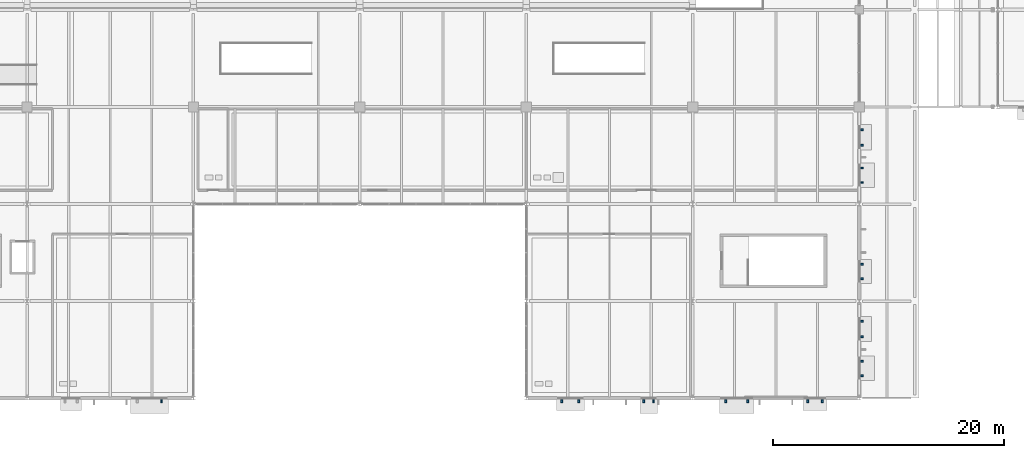
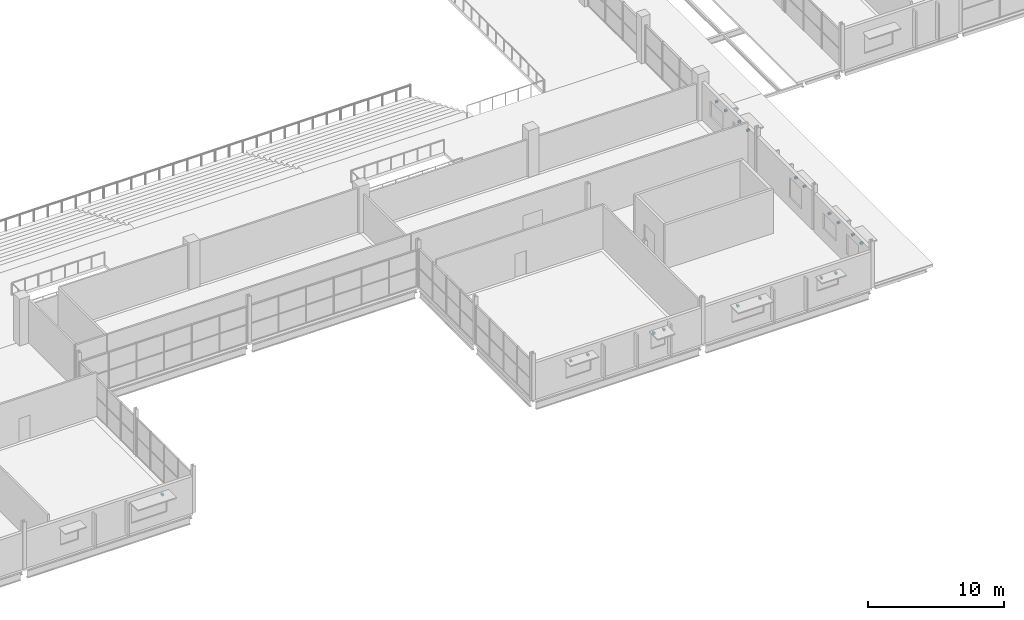
# One storey, part 143 of 161: 19 discrete accessories.
"""IFC4 building model written with IfcOpenShell, lengths in metres."""

from ifc_helpers import new_model, si_unit, direction, frame, origin, origin_2d, place, context, subcontext, project, spatial, rectangle, extrude, material, type_object, element, save


model = new_model("IFC4")

# Units and contexts
model_context = context("Model", 3, precision=1e-05, world=origin(), true_north=direction((0.0, 1.0)))
body_context = subcontext(model_context, "Body", "Model", "MODEL_VIEW")
ifc_project = project(units=[si_unit("LENGTHUNIT", "METRE"), si_unit("AREAUNIT", "SQUARE_METRE"), si_unit("VOLUMEUNIT", "CUBIC_METRE"), si_unit("PLANEANGLEUNIT", "RADIAN"), si_unit("MASSUNIT", "GRAM", prefix="KILO"), si_unit("THERMODYNAMICTEMPERATUREUNIT", "KELVIN")], contexts=[model_context])

# Site, building, storey
site_placement = place(None, origin())
site = spatial("IfcSite", under=ifc_project, at=site_placement, CompositionType="ELEMENT")
building_placement = place(site_placement, origin())
building = spatial("IfcBuilding", under=site, at=building_placement, Name="Nduvali Passage Aquatics Centre", CompositionType="ELEMENT")
storey_placement = place(building_placement, frame((0.0, 0.0, 4.800048828125)))
storey = spatial("IfcBuildingStorey", under=building, at=storey_placement, Name="L01", CompositionType="ELEMENT", Elevation=4.800048828125)

# Discrete accessories
ifc_material = material(Name="Steel S355", Category="steel")
discrete_accessory_type = type_object("IfcDiscreteAccessoryType", Name="ENV-BRK-S355", PredefinedType="BRACKET", material=ifc_material)
for number, where, z_axis, x_axis, name in (
    (1, (65.634033203125, -0.25, 2.580078125), (0.0, 0.0, 1.0), (1.0, 0.0, 0.0), "L01 Sunshade Bracket 0038"),
    (2, (100.281005859375, -0.25, 2.48486328125), (0.0, 0.0, 1.0), (1.0, 0.0, 0.0), "L01 Sunshade Bracket 0039"),
    (3, (101.7509765625, -0.25, 2.48486328125), (0.0, 0.0, 1.0), (1.0, 0.0, 0.0), "L01 Sunshade Bracket 0040"),
    (4, (107.364013671875, -0.25, 2.47998046875), (0.0, 0.0, 1.0), (1.0, 0.0, 0.0), "L01 Sunshade Bracket 0041"),
    (5, (108.2041015625, -0.25, 2.47998046875), (0.0, 0.0, 1.0), (1.0, 0.0, 0.0), "L01 Sunshade Bracket 0042"),
    (6, (114.470947265625, -0.25, 2.43017578125), (0.0, 0.0, 1.0), (1.0, 0.0, 0.0), "L01 Sunshade Bracket 0043"),
    (7, (116.361083984375, -0.25, 2.43017578125), (0.0, 0.0, 1.0), (1.0, 0.0, 0.0), "L01 Sunshade Bracket 0044"),
    (8, (121.553955078125, -0.25, 2.43505859375), (0.0, 0.0, 1.0), (1.0, 0.0, 0.0), "L01 Sunshade Bracket 0045"),
    (9, (122.81396484375, -0.25, 2.43505859375), (0.0, 0.0, 1.0), (1.0, 0.0, 0.0), "L01 Sunshade Bracket 0046"),
    (10, (126.25, 1.952880859375, 2.580078125), (0.0, 0.0, 1.0), (0.0, 1.0, 0.0), "L01 Sunshade Bracket 0051"),
    (11, (126.25, 3.212890625, 2.580078125), (0.0, 0.0, 1.0), (0.0, 1.0, 0.0), "L01 Sunshade Bracket 0052"),
    (12, (126.25, 5.323974609375, 2.384765625), (0.0, 0.0, 1.0), (0.0, 1.0, 0.0), "L01 Sunshade Bracket 0053"),
    (13, (126.25, 6.654052734375, 2.384765625), (0.0, 0.0, 1.0), (0.0, 1.0, 0.0), "L01 Sunshade Bracket 0054"),
    (14, (126.25, 10.343017578125, 2.5849609375), (0.0, 0.0, 1.0), (0.0, 1.0, 0.0), "L01 Sunshade Bracket 0059"),
    (15, (126.25, 11.60302734375, 2.5849609375), (0.0, 0.0, 1.0), (0.0, 1.0, 0.0), "L01 Sunshade Bracket 0060"),
    (16, (126.25, 18.659912109375, 2.580078125), (0.0, 0.0, 1.0), (0.0, 1.0, 0.0), "L01 Sunshade Bracket 0065"),
    (17, (126.25, 19.919921875, 2.580078125), (0.0, 0.0, 1.0), (0.0, 1.0, 0.0), "L01 Sunshade Bracket 0066"),
    (18, (126.25, 21.90087890625, 2.384765625), (0.0, 0.0, 1.0), (0.0, 1.0, 0.0), "L01 Sunshade Bracket 0067"),
    (19, (126.25, 23.23095703125, 2.384765625), (0.0, 0.0, 1.0), (0.0, 1.0, 0.0), "L01 Sunshade Bracket 0068"),
):
    element("IfcDiscreteAccessory", number, at=place(storey_placement, frame(where, z_axis=z_axis, x_axis=x_axis)), inside=storey, type_object=discrete_accessory_type, Name=name, PredefinedType="BRACKET", context=body_context, shape_type="SweptSolid", body=[
        extrude(rectangle(XDim=0.159912109375, YDim=0.239990234375, at=origin_2d()), origin(), (0.0, 0.0, 1.0), 0.179931640625),
    ])

save(model, "model.ifc")
